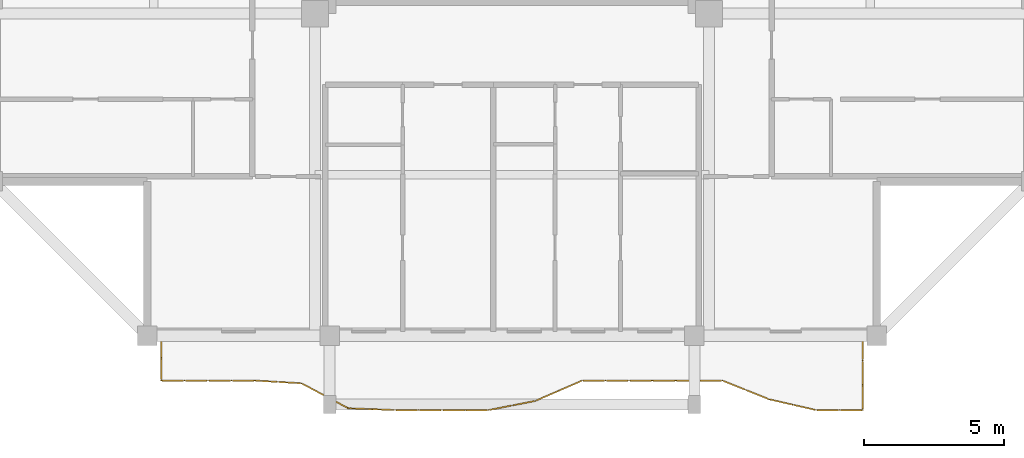
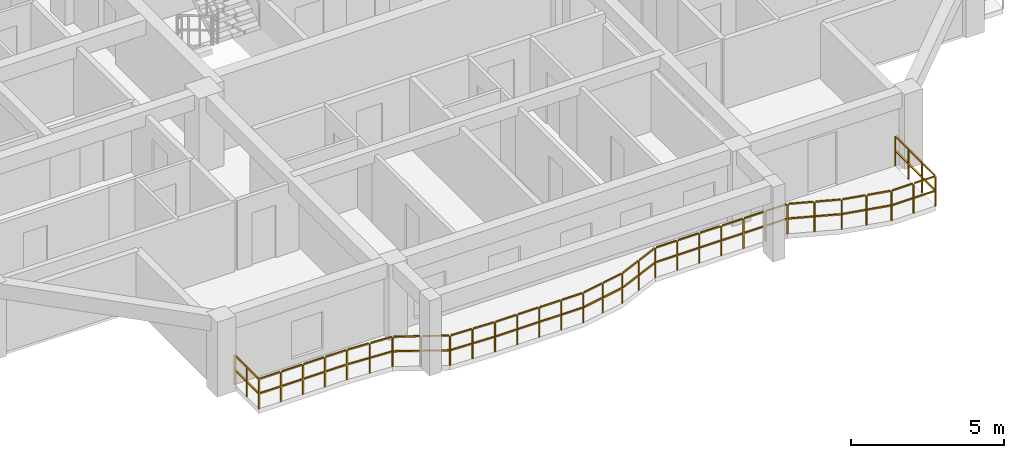
# One storey, part 10 of 14: 1 railing.
"""IFC4 building model written with IfcOpenShell, lengths in metres."""

from ifc_helpers import new_model, si_unit, direction, frame, origin, origin_2d, place, context, subcontext, project, spatial, rectangle, extrude, material, type_object, element, save


model = new_model("IFC4")

# Units and contexts
model_context = context("Model", 3, precision=1e-05, world=origin(), true_north=direction((0.0, 1.0)))
body_context = subcontext(model_context, "Body", "Model", "MODEL_VIEW")
ifc_project = project(units=[si_unit("LENGTHUNIT", "METRE"), si_unit("AREAUNIT", "SQUARE_METRE"), si_unit("VOLUMEUNIT", "CUBIC_METRE"), si_unit("PLANEANGLEUNIT", "RADIAN"), si_unit("MASSUNIT", "GRAM", prefix="KILO")], contexts=[model_context])

# Site, building, storey
site_placement = place(None, origin())
site = spatial("IfcSite", under=ifc_project, at=site_placement, CompositionType="ELEMENT")
building_placement = place(site_placement, origin())
building = spatial("IfcBuilding", under=site, at=building_placement, Name="Saelheon Loggia Tower", CompositionType="ELEMENT")
storey_placement = place(building_placement, frame((0.0, 0.0, 210.300048828125)))
storey = spatial("IfcBuildingStorey", under=building, at=storey_placement, Name="L65", CompositionType="ELEMENT", Elevation=210.300048828125)

# Railing
ifc_material = material(Name="Architectural Precast Concrete and Laminated Glass Guard", Category="concrete")
railing_type = type_object("IfcRailingType", Name="Guard_Loggia_RL_LOG", PredefinedType="BALUSTRADE", material=ifc_material)
railing_placement = place(storey_placement, frame((25.5, 6.0, 0.0)))
element("IfcRailing", 1, at=railing_placement, inside=storey, type_object=railing_type, Name="L65 South Loggia Balustrade", PredefinedType="BALUSTRADE", context=body_context, shape_type="SweptSolid", body=[
    extrude(rectangle(XDim=0.048095703125, YDim=0.048095703125, at=origin_2d()), frame((0.0, -0.033203125, 1.19580078125), z_axis=(0.0, -1.0, 0.0), x_axis=(1.0, 0.0, 0.0)), (0.0, 0.0, 1.0), 0.733642578125),
    extrude(rectangle(XDim=0.048095703125, YDim=0.048095703125, at=origin_2d()), frame((0.0, -0.033203125, 0.60986328125), z_axis=(0.0, -1.0, 0.0), x_axis=(1.0, 0.0, 0.0)), (0.0, 0.0, 1.0), 0.733642578125),
    extrude(rectangle(XDim=0.048095703125, YDim=0.048095703125, at=origin_2d()), frame((0.0, -0.833251953125, 1.19580078125), z_axis=(0.0, -1.0, 0.0), x_axis=(1.0, 0.0, 0.0)), (0.0, 0.0, 1.0), 0.733642578125),
    extrude(rectangle(XDim=0.048095703125, YDim=0.048095703125, at=origin_2d()), frame((0.0, -0.833251953125, 0.60986328125), z_axis=(0.0, -1.0, 0.0), x_axis=(1.0, 0.0, 0.0)), (0.0, 0.0, 1.0), 0.733642578125),
    extrude(rectangle(XDim=0.048095703125, YDim=0.048095703125, at=origin_2d()), frame((0.033203125, -1.60009765625, 1.19580078125), z_axis=(1.0, 0.0, 0.0), x_axis=(0.0, 1.0, 0.0)), (0.0, 0.0, 1.0), 0.766845703125),
    extrude(rectangle(XDim=0.048095703125, YDim=0.048095703125, at=origin_2d()), frame((0.033203125, -1.60009765625, 0.60986328125), z_axis=(1.0, 0.0, 0.0), x_axis=(0.0, 1.0, 0.0)), (0.0, 0.0, 1.0), 0.766845703125),
    extrude(rectangle(XDim=0.048095703125, YDim=0.048095703125, at=origin_2d()), frame((0.86669921875, -1.60009765625, 1.19580078125), z_axis=(1.0, 0.0, 0.0), x_axis=(0.0, 1.0, 0.0)), (0.0, 0.0, 1.0), 0.766845703125),
    extrude(rectangle(XDim=0.048095703125, YDim=0.048095703125, at=origin_2d()), frame((0.86669921875, -1.60009765625, 0.60986328125), z_axis=(1.0, 0.0, 0.0), x_axis=(0.0, 1.0, 0.0)), (0.0, 0.0, 1.0), 0.766845703125),
    extrude(rectangle(XDim=0.048095703125, YDim=0.048095703125, at=origin_2d()), frame((1.699951171875, -1.60009765625, 1.19580078125), z_axis=(1.0, 0.0, 0.0), x_axis=(0.0, 1.0, 0.0)), (0.0, 0.0, 1.0), 0.766845703125),
    extrude(rectangle(XDim=0.048095703125, YDim=0.048095703125, at=origin_2d()), frame((1.699951171875, -1.60009765625, 0.60986328125), z_axis=(1.0, 0.0, 0.0), x_axis=(0.0, 1.0, 0.0)), (0.0, 0.0, 1.0), 0.766845703125),
    extrude(rectangle(XDim=0.048095703125, YDim=0.048095703125, at=origin_2d()), frame((2.533203125, -1.60009765625, 1.19580078125), z_axis=(1.0, 0.0, 0.0), x_axis=(0.0, 1.0, 0.0)), (0.0, 0.0, 1.0), 0.766845703125),
    extrude(rectangle(XDim=0.048095703125, YDim=0.048095703125, at=origin_2d()), frame((2.533203125, -1.60009765625, 0.60986328125), z_axis=(1.0, 0.0, 0.0), x_axis=(0.0, 1.0, 0.0)), (0.0, 0.0, 1.0), 0.766845703125),
    extrude(rectangle(XDim=0.048095703125, YDim=0.048095703125, at=origin_2d()), frame((3.366455078125, -1.60205078125, 1.19580078125), z_axis=(0.998321944411, -0.057907644644, 0.0), x_axis=(0.057907644644, 0.998321944411, 0.0)), (0.0, 0.0, 1.0), 0.768310546875),
    extrude(rectangle(XDim=0.048095703125, YDim=0.048095703125, at=origin_2d()), frame((3.366455078125, -1.60205078125, 0.60986328125), z_axis=(0.998321944411, -0.057907644644, 0.0), x_axis=(0.057907644644, 0.998321944411, 0.0)), (0.0, 0.0, 1.0), 0.768310546875),
    extrude(rectangle(XDim=0.048095703125, YDim=0.048095703125, at=origin_2d()), frame((4.19970703125, -1.650390625, 1.19580078125), z_axis=(0.998321944411, -0.057907644644, 0.0), x_axis=(0.057907644644, 0.998321944411, 0.0)), (0.0, 0.0, 1.0), 0.768310546875),
    extrude(rectangle(XDim=0.048095703125, YDim=0.048095703125, at=origin_2d()), frame((4.19970703125, -1.650390625, 0.60986328125), z_axis=(0.998321944411, -0.057907644644, 0.0), x_axis=(0.057907644644, 0.998321944411, 0.0)), (0.0, 0.0, 1.0), 0.768310546875),
    extrude(rectangle(XDim=0.048095703125, YDim=0.048095703125, at=origin_2d()), frame((5.029296875, -1.71240234375, 1.19580078125), z_axis=(0.88224917848, -0.470782738714, 0.0), x_axis=(0.470782738714, 0.88224917848, 0.0)), (0.0, 0.0, 1.0), 0.878173828125),
    extrude(rectangle(XDim=0.048095703125, YDim=0.048095703125, at=origin_2d()), frame((5.029296875, -1.71240234375, 0.60986328125), z_axis=(0.88224917848, -0.470782738714, 0.0), x_axis=(0.470782738714, 0.88224917848, 0.0)), (0.0, 0.0, 1.0), 0.878173828125),
    extrude(rectangle(XDim=0.048095703125, YDim=0.048095703125, at=origin_2d()), frame((5.86279296875, -2.1572265625, 1.19580078125), z_axis=(0.88224917848, -0.470782738714, 0.0), x_axis=(0.470782738714, 0.88224917848, 0.0)), (0.0, 0.0, 1.0), 0.878173828125),
    extrude(rectangle(XDim=0.048095703125, YDim=0.048095703125, at=origin_2d()), frame((5.86279296875, -2.1572265625, 0.60986328125), z_axis=(0.88224917848, -0.470782738714, 0.0), x_axis=(0.470782738714, 0.88224917848, 0.0)), (0.0, 0.0, 1.0), 0.878173828125),
    extrude(rectangle(XDim=0.048095703125, YDim=0.048095703125, at=origin_2d()), frame((6.699951171875, -2.58740234375, 1.19580078125), z_axis=(0.999269798762, -0.038208235786, 0.0), x_axis=(0.038208235786, 0.999269798762, 0.0)), (0.0, 0.0, 1.0), 0.767333984375),
    extrude(rectangle(XDim=0.048095703125, YDim=0.048095703125, at=origin_2d()), frame((6.699951171875, -2.58740234375, 0.60986328125), z_axis=(0.999269798762, -0.038208235786, 0.0), x_axis=(0.038208235786, 0.999269798762, 0.0)), (0.0, 0.0, 1.0), 0.767333984375),
    extrude(rectangle(XDim=0.048095703125, YDim=0.048095703125, at=origin_2d()), frame((7.533203125, -2.619384765625, 1.19580078125), z_axis=(0.999269798762, -0.038208235786, 0.0), x_axis=(0.038208235786, 0.999269798762, 0.0)), (0.0, 0.0, 1.0), 0.767333984375),
    extrude(rectangle(XDim=0.048095703125, YDim=0.048095703125, at=origin_2d()), frame((7.533203125, -2.619384765625, 0.60986328125), z_axis=(0.999269798762, -0.038208235786, 0.0), x_axis=(0.038208235786, 0.999269798762, 0.0)), (0.0, 0.0, 1.0), 0.767333984375),
    extrude(rectangle(XDim=0.048095703125, YDim=0.048095703125, at=origin_2d()), frame((8.366455078125, -2.64990234375, 1.19580078125), z_axis=(1.0, 0.0, 0.0), x_axis=(0.0, 1.0, 0.0)), (0.0, 0.0, 1.0), 0.766845703125),
    extrude(rectangle(XDim=0.048095703125, YDim=0.048095703125, at=origin_2d()), frame((8.366455078125, -2.64990234375, 0.60986328125), z_axis=(1.0, 0.0, 0.0), x_axis=(0.0, 1.0, 0.0)), (0.0, 0.0, 1.0), 0.766845703125),
    extrude(rectangle(XDim=0.048095703125, YDim=0.048095703125, at=origin_2d()), frame((9.199951171875, -2.64990234375, 1.19580078125), z_axis=(1.0, 0.0, 0.0), x_axis=(0.0, 1.0, 0.0)), (0.0, 0.0, 1.0), 0.766845703125),
    extrude(rectangle(XDim=0.048095703125, YDim=0.048095703125, at=origin_2d()), frame((9.199951171875, -2.64990234375, 0.60986328125), z_axis=(1.0, 0.0, 0.0), x_axis=(0.0, 1.0, 0.0)), (0.0, 0.0, 1.0), 0.766845703125),
    extrude(rectangle(XDim=0.048095703125, YDim=0.048095703125, at=origin_2d()), frame((10.033203125, -2.64990234375, 1.19580078125), z_axis=(1.0, 0.0, 0.0), x_axis=(0.0, 1.0, 0.0)), (0.0, 0.0, 1.0), 0.766845703125),
    extrude(rectangle(XDim=0.048095703125, YDim=0.048095703125, at=origin_2d()), frame((10.033203125, -2.64990234375, 0.60986328125), z_axis=(1.0, 0.0, 0.0), x_axis=(0.0, 1.0, 0.0)), (0.0, 0.0, 1.0), 0.766845703125),
    extrude(rectangle(XDim=0.048095703125, YDim=0.048095703125, at=origin_2d()), frame((10.86669921875, -2.64990234375, 1.19580078125), z_axis=(1.0, 0.0, 0.0), x_axis=(0.0, 1.0, 0.0)), (0.0, 0.0, 1.0), 0.766845703125),
    extrude(rectangle(XDim=0.048095703125, YDim=0.048095703125, at=origin_2d()), frame((10.86669921875, -2.64990234375, 0.60986328125), z_axis=(1.0, 0.0, 0.0), x_axis=(0.0, 1.0, 0.0)), (0.0, 0.0, 1.0), 0.766845703125),
    extrude(rectangle(XDim=0.048095703125, YDim=0.048095703125, at=origin_2d()), frame((11.699462890625, -2.6435546875, 1.19580078125), z_axis=(0.981162310817, 0.193185195684, 0.0), x_axis=(-0.193185195684, 0.981162310817, 0.0)), (0.0, 0.0, 1.0), 0.78271484375),
    extrude(rectangle(XDim=0.048095703125, YDim=0.048095703125, at=origin_2d()), frame((11.699462890625, -2.6435546875, 0.60986328125), z_axis=(0.981162310817, 0.193185195684, 0.0), x_axis=(-0.193185195684, 0.981162310817, 0.0)), (0.0, 0.0, 1.0), 0.78271484375),
    extrude(rectangle(XDim=0.048095703125, YDim=0.048095703125, at=origin_2d()), frame((12.53271484375, -2.4794921875, 1.19580078125), z_axis=(0.981162310817, 0.193185195684, 0.0), x_axis=(-0.193185195684, 0.981162310817, 0.0)), (0.0, 0.0, 1.0), 0.78271484375),
    extrude(rectangle(XDim=0.048095703125, YDim=0.048095703125, at=origin_2d()), frame((12.53271484375, -2.4794921875, 0.60986328125), z_axis=(0.981162310817, 0.193185195684, 0.0), x_axis=(-0.193185195684, 0.981162310817, 0.0)), (0.0, 0.0, 1.0), 0.78271484375),
    extrude(rectangle(XDim=0.048095703125, YDim=0.048095703125, at=origin_2d()), frame((13.36376953125, -2.30859375, 1.19580078125), z_axis=(0.917671645911, 0.397339590642, 0.0), x_axis=(-0.397339590642, 0.917671645911, 0.0)), (0.0, 0.0, 1.0), 0.841552734375),
    extrude(rectangle(XDim=0.048095703125, YDim=0.048095703125, at=origin_2d()), frame((13.36376953125, -2.30859375, 0.60986328125), z_axis=(0.917671645911, 0.397339590642, 0.0), x_axis=(-0.397339590642, 0.917671645911, 0.0)), (0.0, 0.0, 1.0), 0.841552734375),
    extrude(rectangle(XDim=0.048095703125, YDim=0.048095703125, at=origin_2d()), frame((14.197021484375, -1.94775390625, 1.19580078125), z_axis=(0.917671645911, 0.397339590642, 0.0), x_axis=(-0.397339590642, 0.917671645911, 0.0)), (0.0, 0.0, 1.0), 0.841552734375),
    extrude(rectangle(XDim=0.048095703125, YDim=0.048095703125, at=origin_2d()), frame((14.197021484375, -1.94775390625, 0.60986328125), z_axis=(0.917671645911, 0.397339590642, 0.0), x_axis=(-0.397339590642, 0.917671645911, 0.0)), (0.0, 0.0, 1.0), 0.841552734375),
    extrude(rectangle(XDim=0.048095703125, YDim=0.048095703125, at=origin_2d()), frame((15.033203125, -1.60009765625, 1.19580078125), z_axis=(1.0, 0.0, 0.0), x_axis=(0.0, 1.0, 0.0)), (0.0, 0.0, 1.0), 0.766845703125),
    extrude(rectangle(XDim=0.048095703125, YDim=0.048095703125, at=origin_2d()), frame((15.033203125, -1.60009765625, 0.60986328125), z_axis=(1.0, 0.0, 0.0), x_axis=(0.0, 1.0, 0.0)), (0.0, 0.0, 1.0), 0.766845703125),
    extrude(rectangle(XDim=0.048095703125, YDim=0.048095703125, at=origin_2d()), frame((15.86669921875, -1.60009765625, 1.19580078125), z_axis=(1.0, 0.0, 0.0), x_axis=(0.0, 1.0, 0.0)), (0.0, 0.0, 1.0), 0.766845703125),
    extrude(rectangle(XDim=0.048095703125, YDim=0.048095703125, at=origin_2d()), frame((15.86669921875, -1.60009765625, 0.60986328125), z_axis=(1.0, 0.0, 0.0), x_axis=(0.0, 1.0, 0.0)), (0.0, 0.0, 1.0), 0.766845703125),
    extrude(rectangle(XDim=0.048095703125, YDim=0.048095703125, at=origin_2d()), frame((16.699951171875, -1.60009765625, 1.19580078125), z_axis=(1.0, 0.0, 0.0), x_axis=(0.0, 1.0, 0.0)), (0.0, 0.0, 1.0), 0.766845703125),
    extrude(rectangle(XDim=0.048095703125, YDim=0.048095703125, at=origin_2d()), frame((16.699951171875, -1.60009765625, 0.60986328125), z_axis=(1.0, 0.0, 0.0), x_axis=(0.0, 1.0, 0.0)), (0.0, 0.0, 1.0), 0.766845703125),
    extrude(rectangle(XDim=0.048095703125, YDim=0.048095703125, at=origin_2d()), frame((17.533203125, -1.60009765625, 1.19580078125), z_axis=(1.0, 0.0, 0.0), x_axis=(0.0, 1.0, 0.0)), (0.0, 0.0, 1.0), 0.766845703125),
    extrude(rectangle(XDim=0.048095703125, YDim=0.048095703125, at=origin_2d()), frame((17.533203125, -1.60009765625, 0.60986328125), z_axis=(1.0, 0.0, 0.0), x_axis=(0.0, 1.0, 0.0)), (0.0, 0.0, 1.0), 0.766845703125),
    extrude(rectangle(XDim=0.048095703125, YDim=0.048095703125, at=origin_2d()), frame((18.366455078125, -1.60009765625, 1.19580078125), z_axis=(1.0, 0.0, 0.0), x_axis=(0.0, 1.0, 0.0)), (0.0, 0.0, 1.0), 0.766845703125),
    extrude(rectangle(XDim=0.048095703125, YDim=0.048095703125, at=origin_2d()), frame((18.366455078125, -1.60009765625, 0.60986328125), z_axis=(1.0, 0.0, 0.0), x_axis=(0.0, 1.0, 0.0)), (0.0, 0.0, 1.0), 0.766845703125),
    extrude(rectangle(XDim=0.048095703125, YDim=0.048095703125, at=origin_2d()), frame((19.199951171875, -1.60009765625, 1.19580078125), z_axis=(1.0, 0.0, 0.0), x_axis=(0.0, 1.0, 0.0)), (0.0, 0.0, 1.0), 0.766845703125),
    extrude(rectangle(XDim=0.048095703125, YDim=0.048095703125, at=origin_2d()), frame((19.199951171875, -1.60009765625, 0.60986328125), z_axis=(1.0, 0.0, 0.0), x_axis=(0.0, 1.0, 0.0)), (0.0, 0.0, 1.0), 0.766845703125),
    extrude(rectangle(XDim=0.048095703125, YDim=0.048095703125, at=origin_2d()), frame((20.03076171875, -1.612548828125, 1.19580078125), z_axis=(0.928326569651, -0.371765759693, 0.0), x_axis=(0.371765759693, 0.928326569651, 0.0)), (0.0, 0.0, 1.0), 0.831298828125),
    extrude(rectangle(XDim=0.048095703125, YDim=0.048095703125, at=origin_2d()), frame((20.03076171875, -1.612548828125, 0.60986328125), z_axis=(0.928326569651, -0.371765759693, 0.0), x_axis=(0.371765759693, 0.928326569651, 0.0)), (0.0, 0.0, 1.0), 0.831298828125),
    extrude(rectangle(XDim=0.048095703125, YDim=0.048095703125, at=origin_2d()), frame((20.8642578125, -1.9462890625, 1.19580078125), z_axis=(0.928326569651, -0.371765759693, 0.0), x_axis=(0.371765759693, 0.928326569651, 0.0)), (0.0, 0.0, 1.0), 0.831298828125),
    extrude(rectangle(XDim=0.048095703125, YDim=0.048095703125, at=origin_2d()), frame((20.8642578125, -1.9462890625, 0.60986328125), z_axis=(0.928326569651, -0.371765759693, 0.0), x_axis=(0.371765759693, 0.928326569651, 0.0)), (0.0, 0.0, 1.0), 0.831298828125),
    extrude(rectangle(XDim=0.048095703125, YDim=0.048095703125, at=origin_2d()), frame((21.69921875, -2.27490234375, 1.19580078125), z_axis=(0.974679179276, -0.223607910159, 0.0), x_axis=(0.223607910159, 0.974679179276, 0.0)), (0.0, 0.0, 1.0), 0.788330078125),
    extrude(rectangle(XDim=0.048095703125, YDim=0.048095703125, at=origin_2d()), frame((21.69921875, -2.27490234375, 0.60986328125), z_axis=(0.974679179276, -0.223607910159, 0.0), x_axis=(0.223607910159, 0.974679179276, 0.0)), (0.0, 0.0, 1.0), 0.788330078125),
    extrude(rectangle(XDim=0.048095703125, YDim=0.048095703125, at=origin_2d()), frame((22.532470703125, -2.466064453125, 1.19580078125), z_axis=(0.974679179276, -0.223607910159, 0.0), x_axis=(0.223607910159, 0.974679179276, 0.0)), (0.0, 0.0, 1.0), 0.788330078125),
    extrude(rectangle(XDim=0.048095703125, YDim=0.048095703125, at=origin_2d()), frame((22.532470703125, -2.466064453125, 0.60986328125), z_axis=(0.974679179276, -0.223607910159, 0.0), x_axis=(0.223607910159, 0.974679179276, 0.0)), (0.0, 0.0, 1.0), 0.788330078125),
    extrude(rectangle(XDim=0.048095703125, YDim=0.048095703125, at=origin_2d()), frame((23.366455078125, -2.64990234375, 1.19580078125), z_axis=(1.0, 0.0, 0.0), x_axis=(0.0, 1.0, 0.0)), (0.0, 0.0, 1.0), 0.766845703125),
    extrude(rectangle(XDim=0.048095703125, YDim=0.048095703125, at=origin_2d()), frame((23.366455078125, -2.64990234375, 0.60986328125), z_axis=(1.0, 0.0, 0.0), x_axis=(0.0, 1.0, 0.0)), (0.0, 0.0, 1.0), 0.766845703125),
    extrude(rectangle(XDim=0.048095703125, YDim=0.048095703125, at=origin_2d()), frame((24.199951171875, -2.64990234375, 1.19580078125), z_axis=(1.0, 0.0, 0.0), x_axis=(0.0, 1.0, 0.0)), (0.0, 0.0, 1.0), 0.766845703125),
    extrude(rectangle(XDim=0.048095703125, YDim=0.048095703125, at=origin_2d()), frame((24.199951171875, -2.64990234375, 0.60986328125), z_axis=(1.0, 0.0, 0.0), x_axis=(0.0, 1.0, 0.0)), (0.0, 0.0, 1.0), 0.766845703125),
    extrude(rectangle(XDim=0.048095703125, YDim=0.048095703125, at=origin_2d()), frame((25.0, -2.61669921875, 1.19580078125), z_axis=(0.0, 1.0, 0.0), x_axis=(-1.0, 0.0, 0.0)), (0.0, 0.0, 1.0), 0.81689453125),
    extrude(rectangle(XDim=0.048095703125, YDim=0.048095703125, at=origin_2d()), frame((25.0, -2.61669921875, 0.60986328125), z_axis=(0.0, 1.0, 0.0), x_axis=(-1.0, 0.0, 0.0)), (0.0, 0.0, 1.0), 0.81689453125),
    extrude(rectangle(XDim=0.048095703125, YDim=0.048095703125, at=origin_2d()), frame((25.0, -1.7333984375, 1.19580078125), z_axis=(0.0, 1.0, 0.0), x_axis=(-1.0, 0.0, 0.0)), (0.0, 0.0, 1.0), 0.81689453125),
    extrude(rectangle(XDim=0.048095703125, YDim=0.048095703125, at=origin_2d()), frame((25.0, -1.7333984375, 0.60986328125), z_axis=(0.0, 1.0, 0.0), x_axis=(-1.0, 0.0, 0.0)), (0.0, 0.0, 1.0), 0.81689453125),
    extrude(rectangle(XDim=0.048095703125, YDim=0.048095703125, at=origin_2d()), frame((25.0, -0.85009765625, 1.19580078125), z_axis=(0.0, 1.0, 0.0), x_axis=(-1.0, 0.0, 0.0)), (0.0, 0.0, 1.0), 0.81689453125),
    extrude(rectangle(XDim=0.048095703125, YDim=0.048095703125, at=origin_2d()), frame((25.0, -0.85009765625, 0.60986328125), z_axis=(0.0, 1.0, 0.0), x_axis=(-1.0, 0.0, 0.0)), (0.0, 0.0, 1.0), 0.81689453125),
    extrude(rectangle(XDim=0.0419921875, YDim=0.0419921875, at=origin_2d()), origin(), (0.0, 0.0, 1.0), 1.16796875),
    extrude(rectangle(XDim=0.0419921875, YDim=0.0419921875, at=origin_2d()), frame((0.0, -0.800048828125, 0.0)), (0.0, 0.0, 1.0), 1.16796875),
    extrude(rectangle(XDim=0.0419921875, YDim=0.0419921875, at=origin_2d()), frame((0.0, -1.60009765625, 0.0)), (0.0, 0.0, 1.0), 1.16796875),
    extrude(rectangle(XDim=0.0419921875, YDim=0.0419921875, at=origin_2d()), frame((0.83349609375, -1.60009765625, 0.0)), (0.0, 0.0, 1.0), 1.16796875),
    extrude(rectangle(XDim=0.0419921875, YDim=0.0419921875, at=origin_2d()), frame((1.666748046875, -1.60009765625, 0.0)), (0.0, 0.0, 1.0), 1.16796875),
    extrude(rectangle(XDim=0.0419921875, YDim=0.0419921875, at=origin_2d()), frame((2.5, -1.60009765625, 0.0)), (0.0, 0.0, 1.0), 1.16796875),
    extrude(rectangle(XDim=0.0419921875, YDim=0.0419921875, at=origin_2d()), frame((3.333251953125, -1.60009765625, 0.0)), (0.0, 0.0, 1.0), 1.16796875),
    extrude(rectangle(XDim=0.0419921875, YDim=0.0419921875, at=origin_2d()), frame((4.16650390625, -1.6484375, 0.0)), (0.0, 0.0, 1.0), 1.16796875),
    extrude(rectangle(XDim=0.0419921875, YDim=0.0419921875, at=origin_2d()), frame((5.0, -1.69677734375, 0.0)), (0.0, 0.0, 1.0), 1.16796875),
    extrude(rectangle(XDim=0.0419921875, YDim=0.0419921875, at=origin_2d()), frame((5.83349609375, -2.1416015625, 0.0)), (0.0, 0.0, 1.0), 1.16796875),
    extrude(rectangle(XDim=0.0419921875, YDim=0.0419921875, at=origin_2d()), frame((6.666748046875, -2.586181640625, 0.0)), (0.0, 0.0, 1.0), 1.16796875),
    extrude(rectangle(XDim=0.0419921875, YDim=0.0419921875, at=origin_2d()), frame((7.5, -2.6181640625, 0.0)), (0.0, 0.0, 1.0), 1.16796875),
    extrude(rectangle(XDim=0.0419921875, YDim=0.0419921875, at=origin_2d()), frame((8.333251953125, -2.64990234375, 0.0)), (0.0, 0.0, 1.0), 1.16796875),
    extrude(rectangle(XDim=0.0419921875, YDim=0.0419921875, at=origin_2d()), frame((9.16650390625, -2.64990234375, 0.0)), (0.0, 0.0, 1.0), 1.16796875),
    extrude(rectangle(XDim=0.0419921875, YDim=0.0419921875, at=origin_2d()), frame((10.0, -2.64990234375, 0.0)), (0.0, 0.0, 1.0), 1.16796875),
    extrude(rectangle(XDim=0.0419921875, YDim=0.0419921875, at=origin_2d()), frame((10.83349609375, -2.64990234375, 0.0)), (0.0, 0.0, 1.0), 1.16796875),
    extrude(rectangle(XDim=0.0419921875, YDim=0.0419921875, at=origin_2d()), frame((11.666748046875, -2.64990234375, 0.0)), (0.0, 0.0, 1.0), 1.16796875),
    extrude(rectangle(XDim=0.0419921875, YDim=0.0419921875, at=origin_2d()), frame((12.5, -2.48583984375, 0.0)), (0.0, 0.0, 1.0), 1.16796875),
    extrude(rectangle(XDim=0.0419921875, YDim=0.0419921875, at=origin_2d()), frame((13.333251953125, -2.32177734375, 0.0)), (0.0, 0.0, 1.0), 1.16796875),
    extrude(rectangle(XDim=0.0419921875, YDim=0.0419921875, at=origin_2d()), frame((14.16650390625, -1.9609375, 0.0)), (0.0, 0.0, 1.0), 1.16796875),
    extrude(rectangle(XDim=0.0419921875, YDim=0.0419921875, at=origin_2d()), frame((15.0, -1.60009765625, 0.0)), (0.0, 0.0, 1.0), 1.16796875),
    extrude(rectangle(XDim=0.0419921875, YDim=0.0419921875, at=origin_2d()), frame((15.83349609375, -1.60009765625, 0.0)), (0.0, 0.0, 1.0), 1.16796875),
    extrude(rectangle(XDim=0.0419921875, YDim=0.0419921875, at=origin_2d()), frame((16.666748046875, -1.60009765625, 0.0)), (0.0, 0.0, 1.0), 1.16796875),
    extrude(rectangle(XDim=0.0419921875, YDim=0.0419921875, at=origin_2d()), frame((17.5, -1.60009765625, 0.0)), (0.0, 0.0, 1.0), 1.16796875),
    extrude(rectangle(XDim=0.0419921875, YDim=0.0419921875, at=origin_2d()), frame((18.333251953125, -1.60009765625, 0.0)), (0.0, 0.0, 1.0), 1.16796875),
    extrude(rectangle(XDim=0.0419921875, YDim=0.0419921875, at=origin_2d()), frame((19.16650390625, -1.60009765625, 0.0)), (0.0, 0.0, 1.0), 1.16796875),
    extrude(rectangle(XDim=0.0419921875, YDim=0.0419921875, at=origin_2d()), frame((20.0, -1.60009765625, 0.0)), (0.0, 0.0, 1.0), 1.16796875),
    extrude(rectangle(XDim=0.0419921875, YDim=0.0419921875, at=origin_2d()), frame((20.83349609375, -1.933837890625, 0.0)), (0.0, 0.0, 1.0), 1.16796875),
    extrude(rectangle(XDim=0.0419921875, YDim=0.0419921875, at=origin_2d()), frame((21.666748046875, -2.267578125, 0.0)), (0.0, 0.0, 1.0), 1.16796875),
    extrude(rectangle(XDim=0.0419921875, YDim=0.0419921875, at=origin_2d()), frame((22.5, -2.458740234375, 0.0)), (0.0, 0.0, 1.0), 1.16796875),
    extrude(rectangle(XDim=0.0419921875, YDim=0.0419921875, at=origin_2d()), frame((23.333251953125, -2.64990234375, 0.0)), (0.0, 0.0, 1.0), 1.16796875),
    extrude(rectangle(XDim=0.0419921875, YDim=0.0419921875, at=origin_2d()), frame((24.16650390625, -2.64990234375, 0.0)), (0.0, 0.0, 1.0), 1.16796875),
    extrude(rectangle(XDim=0.0419921875, YDim=0.0419921875, at=origin_2d()), frame((25.0, -2.64990234375, 0.0)), (0.0, 0.0, 1.0), 1.16796875),
    extrude(rectangle(XDim=0.0419921875, YDim=0.0419921875, at=origin_2d()), frame((25.0, -1.7666015625, 0.0)), (0.0, 0.0, 1.0), 1.16796875),
    extrude(rectangle(XDim=0.0419921875, YDim=0.0419921875, at=origin_2d()), frame((25.0, -0.88330078125, 0.0)), (0.0, 0.0, 1.0), 1.16796875),
    extrude(rectangle(XDim=0.0419921875, YDim=0.0419921875, at=origin_2d()), frame((25.0, 0.0, 0.0)), (0.0, 0.0, 1.0), 1.16796875),
])

save(model, "model.ifc")
